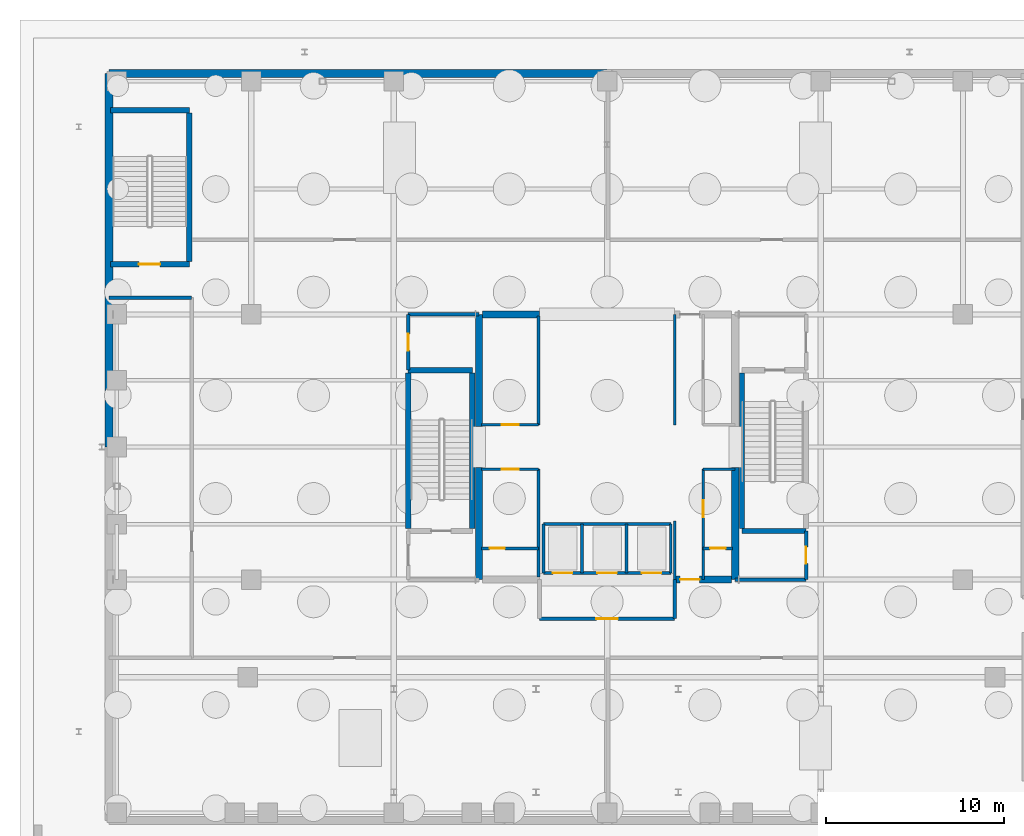
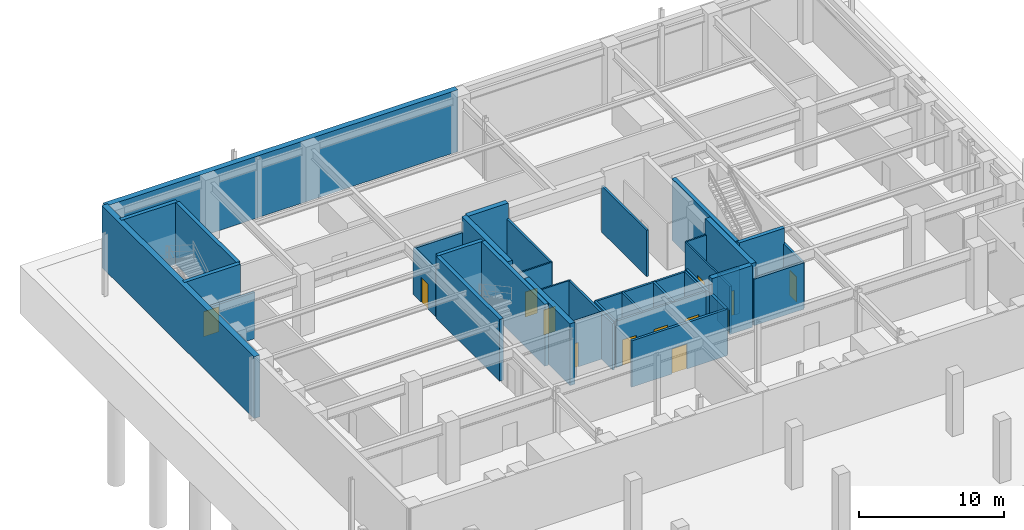
# One storey, part 12 of 18: 39 walls, 13 doors, 13 openings.
"""IFC4 building model written with IfcOpenShell, lengths in metres."""

from ifc_helpers import new_model, si_unit, direction, frame, frame_2d, origin, place, context, subcontext, project, spatial, rectangle, extrude, material, layer, layer_set, type_object, element, fill, save


model = new_model("IFC4")

# Units and contexts
model_context = context("Model", 3, precision=1e-05, world=origin(), true_north=direction((0.0, 1.0)))
body_context = subcontext(model_context, "Body", "Model", "MODEL_VIEW")
ifc_project = project(units=[si_unit("LENGTHUNIT", "METRE"), si_unit("AREAUNIT", "SQUARE_METRE"), si_unit("VOLUMEUNIT", "CUBIC_METRE"), si_unit("PLANEANGLEUNIT", "RADIAN"), si_unit("MASSUNIT", "GRAM", prefix="KILO")], contexts=[model_context])

# Site, building, storey
site_placement = place(None, origin())
site = spatial("IfcSite", under=ifc_project, at=site_placement, CompositionType="ELEMENT")
building_placement = place(site_placement, origin())
building = spatial("IfcBuilding", under=site, at=building_placement, Name="Veldorina Hangang Commons", CompositionType="ELEMENT")
storey_placement = place(building_placement, frame((0.0, 0.0, -10.39990234375)))
storey = spatial("IfcBuildingStorey", under=building, at=storey_placement, Name="B02", CompositionType="ELEMENT", Elevation=-10.39990234375)

# Walls
ifc_material_1 = material(Name="Concrete C70/85", Category="concrete")
ifc_layer_1 = layer(ifc_material_1, 0.39990234375)
ifc_layer_set_1 = layer_set([ifc_layer_1], Name="Concrete C70/85")
wall_type_1 = type_object("IfcWallType", Name="CW-RC400-C70", PredefinedType="SHEAR", material=ifc_layer_set_1)
for number, where, z_axis, x_axis, name in (
    (1, (24.800048828125, 16.550048828125, 0.0), (0.0, 0.0, 1.0), (0.0, 1.0, 0.0), "B02 W south core shear wall"),
    (2, (24.800048828125, 25.14990234375, 0.0), (0.0, 0.0, 1.0), (0.0, 1.0, 0.0), "B02 W north core shear wall"),
    (3, (39.199951171875, 16.550048828125, 0.0), (0.0, 0.0, 1.0), (0.0, 1.0, 0.0), "B02 E south core shear wall"),
):
    element("IfcWall", number, at=place(storey_placement, frame(where, z_axis=z_axis, x_axis=x_axis)), inside=storey, type_object=wall_type_1, Name=name, PredefinedType="SHEAR", context=body_context, shape_type="SweptSolid", body=[
        extrude(rectangle(XDim=6.300048828125, YDim=0.39990234375, at=frame_2d((3.14990234375, 0.0))), origin(), (0.0, 0.0, 1.0), 5.199951171875),
    ])

# Wall, opening, door
wall_1_placement = place(storey_placement, frame((35.800048828125, 16.550048828125, 0.0), z_axis=(0.0, 0.0, 1.0), x_axis=(1.0, 0.0, 0.0)))
wall_1 = element("IfcWall", 4, at=wall_1_placement, inside=storey, type_object=wall_type_1, Name="B02 south-east core shear wall", PredefinedType="SHEAR", context=body_context, shape_type="SweptSolid", body=[
    extrude(rectangle(XDim=3.199951171875, YDim=0.39990234375, at=frame_2d((1.60009765625, 0.0))), origin(), (0.0, 0.0, 1.0), 5.199951171875),
])
opening_1_placement = place(wall_1_placement, frame((0.300048828125, 0.0, 0.0)))
opening_1 = element("IfcOpeningElement", 5, at=opening_1_placement, cuts=wall_1, Name="Opening D-08", PredefinedType="OPENING", context=body_context, shape_type="SweptSolid", body=[
    extrude(rectangle(XDim=1.10009765625, YDim=2.10009765625, at=frame_2d((0.550048828125, 1.050048828125))), frame((0.0, 0.2099609375, 0.0), z_axis=(0.0, -1.0, 0.0), x_axis=(1.0, 0.0, 0.0)), (0.0, 0.0, 1.0), 0.419921875),
])
ifc_material_2 = material(Name="Steel Fire-Rated Smoke Seal", Category="steel")
door_type_1 = type_object("IfcDoorType", Name="DR-FIRE-1100", OperationType="SINGLE_SWING_RIGHT", PredefinedType="DOOR", material=ifc_material_2)
door_1_placement = place(opening_1_placement, origin())
door_1 = element("IfcDoor", 6, at=door_1_placement, inside=storey, type_object=door_type_1, Name="B02 central lift lobby south corridor door", OperationType="SINGLE_SWING_RIGHT", OverallHeight=2.10009765625, OverallWidth=1.10009765625, PredefinedType="DOOR", context=body_context, shape_type="SweptSolid", body=[
    extrude(rectangle(XDim=1.10009765625, YDim=2.10009765625, at=frame_2d((0.550048828125, 1.050048828125))), frame((0.0, 0.02490234375, 0.0), z_axis=(0.0, -1.0, 0.0), x_axis=(1.0, 0.0, 0.0)), (0.0, 0.0, 1.0), 0.050048828125),
])
fill(opening_1, door_1)

# Walls
wall_2_placement = place(storey_placement, frame((25.0, 31.449951171875, 0.0), z_axis=(0.0, 0.0, 1.0), x_axis=(1.0, 0.0, 0.0)))
element("IfcWall", 7, at=wall_2_placement, inside=storey, type_object=wall_type_1, Name="B02 north-west core shear wall", PredefinedType="SHEAR", context=body_context, shape_type="SweptSolid", body=[
    extrude(rectangle(XDim=3.199951171875, YDim=0.39990234375, at=frame_2d((1.60009765625, 0.0))), origin(), (0.0, 0.0, 1.0), 5.199951171875),
])
ifc_material_3 = material(Name="Concrete C45/55", Category="concrete")
ifc_layer_2 = layer(ifc_material_3, 0.449951171875)
ifc_layer_set_2 = layer_set([ifc_layer_2], Name="Concrete C45/55")
wall_type_2 = type_object("IfcWallType", Name="RW-BASE-450", PredefinedType="USERDEFINED", material=ifc_layer_set_2)
wall_3_placement = place(storey_placement, frame((32.0, 45.0, 0.0), z_axis=(0.0, 0.0, 1.0), x_axis=(-1.0, 0.0, 0.0)))
element("IfcWall", 8, at=wall_3_placement, inside=storey, type_object=wall_type_2, Name="B02 perimeter retaining wall N2", ObjectType="RETAININGWALL", PredefinedType="USERDEFINED", context=body_context, shape_type="SweptSolid", body=[
    extrude(rectangle(XDim=28.0, YDim=0.449951171875, at=frame_2d((14.0, 0.0))), origin(), (0.0, 0.0, 1.0), 5.199951171875),
])
wall_4_placement = place(storey_placement, frame((4.0, 45.0, 0.0), z_axis=(0.0, 0.0, 1.0), x_axis=(0.0, -1.0, 0.0)))
element("IfcWall", 9, at=wall_4_placement, inside=storey, type_object=wall_type_2, Name="B02 perimeter retaining wall W1", ObjectType="RETAININGWALL", PredefinedType="USERDEFINED", context=body_context, shape_type="SweptSolid", body=[
    extrude(rectangle(XDim=21.0, YDim=0.449951171875, at=frame_2d((10.5, 0.0))), origin(), (0.0, 0.0, 1.0), 5.199951171875),
])
ifc_material_4 = material(Name="Concrete C50/60", Category="concrete")
ifc_layer_3 = layer(ifc_material_4, 0.300048828125)
ifc_layer_set_3 = layer_set([ifc_layer_3], Name="Concrete C50/60")
wall_type_3 = type_object("IfcWallType", Name="SW-STAIR-300", PredefinedType="SHEAR", material=ifc_layer_set_3)
for number, where, z_axis, x_axis, name in (
    (10, (20.820068359375, 19.429931640625, 0.0), (0.0, 0.0, 1.0), (0.0, 1.0, 0.0), "B02 ST1 outer stair shear wall"),
    (11, (24.419921875, 19.429931640625, 0.0), (0.0, 0.0, 1.0), (0.0, 1.0, 0.0), "B02 ST1 inner stair shear wall"),
):
    element("IfcWall", number, at=place(storey_placement, frame(where, z_axis=z_axis, x_axis=x_axis)), inside=storey, type_object=wall_type_3, Name=name, PredefinedType="SHEAR", context=body_context, shape_type="SweptSolid", body=[
        extrude(rectangle(XDim=8.739990234375, YDim=0.300048828125, at=frame_2d((4.3701171875, 0.0))), origin(), (0.0, 0.0, 1.0), 5.199951171875),
    ])
wall_5_placement = place(storey_placement, frame((20.820068359375, 28.320068359375, 0.0), z_axis=(0.0, 0.0, 1.0), x_axis=(1.0, 0.0, 0.0)))
element("IfcWall", 12, at=wall_5_placement, inside=storey, type_object=wall_type_3, Name="B02 ST1 north stair shear wall", PredefinedType="SHEAR", context=body_context, shape_type="SweptSolid", body=[
    extrude(rectangle(XDim=3.599853515625, YDim=0.300048828125, at=frame_2d((1.7998046875, 0.0))), origin(), (0.0, 0.0, 1.0), 5.199951171875),
])
wall_6_placement = place(storey_placement, frame((39.580078125, 19.429931640625, 0.0), z_axis=(0.0, 0.0, 1.0), x_axis=(0.0, 1.0, 0.0)))
element("IfcWall", 13, at=wall_6_placement, inside=storey, type_object=wall_type_3, Name="B02 ST2 inner stair shear wall", PredefinedType="SHEAR", context=body_context, shape_type="SweptSolid", body=[
    extrude(rectangle(XDim=8.739990234375, YDim=0.300048828125, at=frame_2d((4.3701171875, 0.0))), origin(), (0.0, 0.0, 1.0), 5.199951171875),
])
wall_7_placement = place(storey_placement, frame((39.580078125, 19.280029296875, 0.0), z_axis=(0.0, 0.0, 1.0), x_axis=(1.0, 0.0, 0.0)))
element("IfcWall", 14, at=wall_7_placement, inside=storey, type_object=wall_type_3, Name="B02 ST2 south stair shear wall", PredefinedType="SHEAR", context=body_context, shape_type="SweptSolid", body=[
    extrude(rectangle(XDim=3.599853515625, YDim=0.300048828125, at=frame_2d((1.7998046875, 0.0))), origin(), (0.0, 0.0, 1.0), 5.199951171875),
])
wall_8_placement = place(storey_placement, frame((8.52001953125, 34.429931640625, 0.0), z_axis=(0.0, 0.0, 1.0), x_axis=(0.0, 1.0, 0.0)))
element("IfcWall", 15, at=wall_8_placement, inside=storey, type_object=wall_type_3, Name="B02 STP1 E stair shear wall", PredefinedType="SHEAR", context=body_context, shape_type="SweptSolid", body=[
    extrude(rectangle(XDim=8.340087890625, YDim=0.300048828125, at=frame_2d((4.169921875, 0.0))), origin(), (0.0, 0.0, 1.0), 5.199951171875),
])

# Wall, opening, door
wall_9_placement = place(storey_placement, frame((4.080078125, 34.280029296875, 0.0), z_axis=(0.0, 0.0, 1.0), x_axis=(1.0, 0.0, 0.0)))
wall_9 = element("IfcWall", 16, at=wall_9_placement, inside=storey, type_object=wall_type_3, Name="B02 STP1 S stair shear wall", PredefinedType="SHEAR", context=body_context, shape_type="SweptSolid", body=[
    extrude(rectangle(XDim=4.43994140625, YDim=0.300048828125, at=frame_2d((2.219970703125, 0.0))), origin(), (0.0, 0.0, 1.0), 5.199951171875),
])
opening_2_placement = place(wall_9_placement, frame((1.60009765625, 0.0, 0.0)))
opening_2 = element("IfcOpeningElement", 17, at=opening_2_placement, cuts=wall_9, Name="Opening D-09", PredefinedType="OPENING", context=body_context, shape_type="SweptSolid", body=[
    extrude(rectangle(XDim=1.199951171875, YDim=2.10009765625, at=frame_2d((0.60009765625, 1.050048828125))), frame((0.0, 0.16015625, 0.0), z_axis=(0.0, -1.0, 0.0), x_axis=(1.0, 0.0, 0.0)), (0.0, 0.0, 1.0), 0.320068359375),
])
ifc_material_5 = material(Name="Steel Fire-Rated Corridor Door", Category="steel")
door_type_2 = type_object("IfcDoorType", Name="DR-FIRE-1200", OperationType="SINGLE_SWING_LEFT", PredefinedType="DOOR", material=ifc_material_5)
door_2_placement = place(opening_2_placement, origin())
door_2 = element("IfcDoor", 18, at=door_2_placement, inside=storey, type_object=door_type_2, Name="B02 Podium Stair ST-P1 door", OperationType="SINGLE_SWING_LEFT", OverallHeight=2.10009765625, OverallWidth=1.199951171875, PredefinedType="DOOR", context=body_context, shape_type="SweptSolid", body=[
    extrude(rectangle(XDim=1.199951171875, YDim=2.10009765625, at=frame_2d((0.60009765625, 1.050048828125))), frame((0.0, 0.02490234375, 0.0), z_axis=(0.0, -1.0, 0.0), x_axis=(1.0, 0.0, 0.0)), (0.0, 0.0, 1.0), 0.050048828125),
])
fill(opening_2, door_2)

# Walls
wall_10_placement = place(storey_placement, frame((4.080078125, 42.919921875, 0.0), z_axis=(0.0, 0.0, 1.0), x_axis=(1.0, 0.0, 0.0)))
element("IfcWall", 19, at=wall_10_placement, inside=storey, type_object=wall_type_3, Name="B02 STP1 N stair shear wall", PredefinedType="SHEAR", context=body_context, shape_type="SweptSolid", body=[
    extrude(rectangle(XDim=4.43994140625, YDim=0.300048828125, at=frame_2d((2.219970703125, 0.0))), origin(), (0.0, 0.0, 1.0), 5.199951171875),
])
ifc_material_6 = material(Name="Gypsum Fire-Rated Twin Stud Wall", Category="gypsum")
ifc_layer_4 = layer(ifc_material_6, 0.159912109375)
ifc_layer_set_4 = layer_set([ifc_layer_4], Name="Gypsum Fire-Rated Twin Stud Wall")
wall_type_4 = type_object("IfcWallType", Name="WL-FIRE-160", PredefinedType="SOLIDWALL", material=ifc_layer_set_4)
wall_11_placement = place(storey_placement, frame((35.800048828125, 16.550048828125, 0.0), z_axis=(0.0, 0.0, 1.0), x_axis=(0.0, 1.0, 0.0)))
element("IfcWall", 20, at=wall_11_placement, inside=storey, type_object=wall_type_4, Name="B02 Lift passage SW wall 009", PredefinedType="SOLIDWALL", context=body_context, shape_type="SweptSolid", body=[
    extrude(rectangle(XDim=3.300048828125, YDim=0.159912109375, at=frame_2d((1.64990234375, 0.0))), origin(), (0.0, 0.0, 1.0), 3.89990234375),
])
wall_12_placement = place(storey_placement, frame((37.39990234375, 16.550048828125, 0.0), z_axis=(0.0, 0.0, 1.0), x_axis=(0.0, 1.0, 0.0)))
element("IfcWall", 21, at=wall_12_placement, inside=storey, type_object=wall_type_4, Name="B02 Lift passage SE stub 010", PredefinedType="SOLIDWALL", context=body_context, shape_type="SweptSolid", body=[
    extrude(rectangle(XDim=1.75, YDim=0.159912109375, at=frame_2d((0.875, 0.0))), origin(), (0.0, 0.0, 1.0), 3.89990234375),
])
wall_13_placement = place(storey_placement, frame((35.800048828125, 25.25, 0.0), z_axis=(0.0, 0.0, 1.0), x_axis=(0.0, 1.0, 0.0)))
element("IfcWall", 22, at=wall_13_placement, inside=storey, type_object=wall_type_4, Name="B02 Lift passage NW wall 011", PredefinedType="SOLIDWALL", context=body_context, shape_type="SweptSolid", body=[
    extrude(rectangle(XDim=6.199951171875, YDim=0.159912109375, at=frame_2d((3.10009765625, 0.0))), origin(), (0.0, 0.0, 1.0), 3.89990234375),
])

# Wall, openings, doors
wall_14_placement = place(storey_placement, frame((28.419921875, 16.919921875, 0.0), z_axis=(0.0, 0.0, 1.0), x_axis=(1.0, 0.0, 0.0)))
wall_14 = element("IfcWall", 23, at=wall_14_placement, inside=storey, type_object=wall_type_4, Name="B02 Emergency front shaft wall 015", PredefinedType="SOLIDWALL", context=body_context, shape_type="SweptSolid", body=[
    extrude(rectangle(XDim=7.16015625, YDim=0.159912109375, at=frame_2d((3.580078125, 0.0))), origin(), (0.0, 0.0, 1.0), 3.89990234375),
])
opening_3_placement = place(wall_14_placement, frame((0.530029296875, 0.0, 0.0)))
opening_3 = element("IfcOpeningElement", 24, at=opening_3_placement, cuts=wall_14, Name="Opening LD-03", PredefinedType="OPENING", context=body_context, shape_type="SweptSolid", body=[
    extrude(rectangle(XDim=1.10009765625, YDim=2.14990234375, at=frame_2d((0.550048828125, 1.074951171875))), frame((0.0, 0.08984375, 0.0), z_axis=(0.0, -1.0, 0.0), x_axis=(1.0, 0.0, 0.0)), (0.0, 0.0, 1.0), 0.179931640625),
])
opening_4_placement = place(wall_14_placement, frame((3.030029296875, 0.0, 0.0)))
opening_4 = element("IfcOpeningElement", 25, at=opening_4_placement, cuts=wall_14, Name="Opening LD-03", PredefinedType="OPENING", context=body_context, shape_type="SweptSolid", body=[
    extrude(rectangle(XDim=1.10009765625, YDim=2.14990234375, at=frame_2d((0.550048828125, 1.074951171875))), frame((0.0, 0.08984375, 0.0), z_axis=(0.0, -1.0, 0.0), x_axis=(1.0, 0.0, 0.0)), (0.0, 0.0, 1.0), 0.179931640625),
])
opening_5_placement = place(wall_14_placement, frame((5.530029296875, 0.0, 0.0)))
opening_5 = element("IfcOpeningElement", 26, at=opening_5_placement, cuts=wall_14, Name="Opening LD-03", PredefinedType="OPENING", context=body_context, shape_type="SweptSolid", body=[
    extrude(rectangle(XDim=1.10009765625, YDim=2.14990234375, at=frame_2d((0.550048828125, 1.074951171875))), frame((0.0, 0.08984375, 0.0), z_axis=(0.0, -1.0, 0.0), x_axis=(1.0, 0.0, 0.0)), (0.0, 0.0, 1.0), 0.179931640625),
])
ifc_material_7 = material(Name="Stainless Steel Firefighting Lift Door", Category="steel")
door_type_3 = type_object("IfcDoorType", Name="DR-LIFT-FF1100", OperationType="SLIDING_TO_RIGHT", PredefinedType="DOOR", material=ifc_material_7)
door_3_placement = place(opening_3_placement, origin())
door_3 = element("IfcDoor", 27, at=door_3_placement, inside=storey, type_object=door_type_3, Name="B02 Emergency lift FFL-1 landing door 006", OperationType="SLIDING_TO_RIGHT", OverallHeight=2.14990234375, OverallWidth=1.10009765625, PredefinedType="DOOR", context=body_context, shape_type="SweptSolid", body=[
    extrude(rectangle(XDim=1.10009765625, YDim=2.14990234375, at=frame_2d((0.550048828125, 1.074951171875))), frame((0.0, 0.02490234375, 0.0), z_axis=(0.0, -1.0, 0.0), x_axis=(1.0, 0.0, 0.0)), (0.0, 0.0, 1.0), 0.050048828125),
])
fill(opening_3, door_3)
door_4_placement = place(opening_4_placement, origin())
door_4 = element("IfcDoor", 28, at=door_4_placement, inside=storey, type_object=door_type_3, Name="B02 Emergency lift FFL-2 landing door 007", OperationType="SLIDING_TO_RIGHT", OverallHeight=2.14990234375, OverallWidth=1.10009765625, PredefinedType="DOOR", context=body_context, shape_type="SweptSolid", body=[
    extrude(rectangle(XDim=1.10009765625, YDim=2.14990234375, at=frame_2d((0.550048828125, 1.074951171875))), frame((0.0, 0.02490234375, 0.0), z_axis=(0.0, -1.0, 0.0), x_axis=(1.0, 0.0, 0.0)), (0.0, 0.0, 1.0), 0.050048828125),
])
fill(opening_4, door_4)
door_5_placement = place(opening_5_placement, origin())
door_5 = element("IfcDoor", 29, at=door_5_placement, inside=storey, type_object=door_type_3, Name="B02 Emergency lift EVL-1 landing door 008", OperationType="SLIDING_TO_RIGHT", OverallHeight=2.14990234375, OverallWidth=1.10009765625, PredefinedType="DOOR", context=body_context, shape_type="SweptSolid", body=[
    extrude(rectangle(XDim=1.10009765625, YDim=2.14990234375, at=frame_2d((0.550048828125, 1.074951171875))), frame((0.0, 0.02490234375, 0.0), z_axis=(0.0, -1.0, 0.0), x_axis=(1.0, 0.0, 0.0)), (0.0, 0.0, 1.0), 0.050048828125),
])
fill(opening_5, door_5)

# Walls
wall_15_placement = place(storey_placement, frame((28.419921875, 19.679931640625, 0.0), z_axis=(0.0, 0.0, 1.0), x_axis=(1.0, 0.0, 0.0)))
element("IfcWall", 30, at=wall_15_placement, inside=storey, type_object=wall_type_4, Name="B02 Emergency rear shaft wall 016", PredefinedType="SOLIDWALL", context=body_context, shape_type="SweptSolid", body=[
    extrude(rectangle(XDim=7.16015625, YDim=0.159912109375, at=frame_2d((3.580078125, 0.0))), origin(), (0.0, 0.0, 1.0), 3.89990234375),
])
for number, where, z_axis, x_axis, name in (
    (31, (28.419921875, 16.919921875, 0.0), (0.0, 0.0, 1.0), (0.0, 1.0, 0.0), "B02 FFL-1 west shaft wall 017"),
    (32, (30.580078125, 16.919921875, 0.0), (0.0, 0.0, 1.0), (0.0, 1.0, 0.0), "B02 FFL-1 east shaft wall 018"),
    (33, (33.080078125, 16.919921875, 0.0), (0.0, 0.0, 1.0), (0.0, 1.0, 0.0), "B02 FFL-2 east shaft wall 019"),
    (34, (35.580078125, 16.919921875, 0.0), (0.0, 0.0, 1.0), (0.0, 1.0, 0.0), "B02 EVL-1 east shaft wall 020"),
):
    element("IfcWall", number, at=place(storey_placement, frame(where, z_axis=z_axis, x_axis=x_axis)), inside=storey, type_object=wall_type_4, Name=name, PredefinedType="SOLIDWALL", context=body_context, shape_type="SweptSolid", body=[
        extrude(rectangle(XDim=2.760009765625, YDim=0.159912109375, at=frame_2d((1.3798828125, 0.0))), origin(), (0.0, 0.0, 1.0), 3.89990234375),
    ])

# Wall, opening, door
wall_16_placement = place(storey_placement, frame((24.949951171875, 18.300048828125, 0.0), z_axis=(0.0, 0.0, 1.0), x_axis=(1.0, 0.0, 0.0)))
wall_16 = element("IfcWall", 35, at=wall_16_placement, inside=storey, type_object=wall_type_4, Name="B02 Electrical riser wall 021", PredefinedType="SOLIDWALL", context=body_context, shape_type="SweptSolid", body=[
    extrude(rectangle(XDim=3.199951171875, YDim=0.159912109375, at=frame_2d((1.60009765625, 0.0))), origin(), (0.0, 0.0, 1.0), 3.89990234375),
])
opening_6_placement = place(wall_16_placement, frame((0.43994140625, 0.0, 0.0)))
opening_6 = element("IfcOpeningElement", 36, at=opening_6_placement, cuts=wall_16, Name="Opening D-12", PredefinedType="OPENING", context=body_context, shape_type="SweptSolid", body=[
    extrude(rectangle(XDim=0.860107421875, YDim=2.050048828125, at=frame_2d((0.43017578125, 1.02490234375))), frame((0.0, 0.08984375, 0.0), z_axis=(0.0, -1.0, 0.0), x_axis=(1.0, 0.0, 0.0)), (0.0, 0.0, 1.0), 0.179931640625),
])
ifc_material_8 = material(Name="Steel Insulated Riser Access", Category="steel")
door_type_4 = type_object("IfcDoorType", Name="DR-TRAP-860", OperationType="SINGLE_SWING_LEFT", PredefinedType="TRAPDOOR", material=ifc_material_8)
door_6_placement = place(opening_6_placement, origin())
door_6 = element("IfcDoor", 37, at=door_6_placement, inside=storey, type_object=door_type_4, Name="B02 Electrical riser access door 009", OperationType="SINGLE_SWING_LEFT", OverallHeight=2.050048828125, OverallWidth=0.860107421875, PredefinedType="TRAPDOOR", context=body_context, shape_type="SweptSolid", body=[
    extrude(rectangle(XDim=0.860107421875, YDim=2.050048828125, at=frame_2d((0.43017578125, 1.02490234375))), frame((0.0, 0.02490234375, 0.0), z_axis=(0.0, -1.0, 0.0), x_axis=(1.0, 0.0, 0.0)), (0.0, 0.0, 1.0), 0.050048828125),
])
fill(opening_6, door_6)

# Wall
wall_17_placement = place(storey_placement, frame((28.14990234375, 16.699951171875, 0.0), z_axis=(0.0, 0.0, 1.0), x_axis=(0.0, 1.0, 0.0)))
element("IfcWall", 38, at=wall_17_placement, inside=storey, type_object=wall_type_4, Name="B02 SW core inner wall 022", PredefinedType="SOLIDWALL", context=body_context, shape_type="SweptSolid", body=[
    extrude(rectangle(XDim=6.050048828125, YDim=0.159912109375, at=frame_2d((3.02490234375, 0.0))), origin(), (0.0, 0.0, 1.0), 3.89990234375),
])

# Wall, opening, door
wall_18_placement = place(storey_placement, frame((37.39990234375, 18.300048828125, 0.0), z_axis=(0.0, 0.0, 1.0), x_axis=(1.0, 0.0, 0.0)))
wall_18 = element("IfcWall", 39, at=wall_18_placement, inside=storey, type_object=wall_type_4, Name="B02 Plumbing riser wall 023", PredefinedType="SOLIDWALL", context=body_context, shape_type="SweptSolid", body=[
    extrude(rectangle(XDim=1.650146484375, YDim=0.159912109375, at=frame_2d((0.8251953125, 0.0))), origin(), (0.0, 0.0, 1.0), 3.89990234375),
])
opening_7_placement = place(wall_18_placement, frame((0.39501953125, 0.0, 0.0)))
opening_7 = element("IfcOpeningElement", 40, at=opening_7_placement, cuts=wall_18, Name="Opening D-01N", PredefinedType="OPENING", context=body_context, shape_type="SweptSolid", body=[
    extrude(rectangle(XDim=0.860107421875, YDim=2.10009765625, at=frame_2d((0.43017578125, 1.050048828125))), frame((0.0, 0.08984375, 0.0), z_axis=(0.0, -1.0, 0.0), x_axis=(1.0, 0.0, 0.0)), (0.0, 0.0, 1.0), 0.179931640625),
])
ifc_material_9 = material(Name="Timber Fire-Rated Core", Category="wood")
door_type_5 = type_object("IfcDoorType", Name="DR-INT-860", OperationType="SINGLE_SWING_LEFT", PredefinedType="DOOR", material=ifc_material_9)
door_7_placement = place(opening_7_placement, origin())
door_7 = element("IfcDoor", 41, at=door_7_placement, inside=storey, type_object=door_type_5, Name="B02 Plumbing riser access door 010", OperationType="SINGLE_SWING_RIGHT", OverallHeight=2.10009765625, OverallWidth=0.860107421875, PredefinedType="TRAPDOOR", context=body_context, shape_type="SweptSolid", body=[
    extrude(rectangle(XDim=0.860107421875, YDim=2.10009765625, at=frame_2d((0.43017578125, 1.050048828125))), frame((0.0, 0.02490234375, 0.0), z_axis=(0.0, -1.0, 0.0), x_axis=(1.0, 0.0, 0.0)), (0.0, 0.0, 1.0), 0.050048828125),
])
fill(opening_7, door_7)

# Wall
wall_19_placement = place(storey_placement, frame((28.14990234375, 25.25, 0.0), z_axis=(0.0, 0.0, 1.0), x_axis=(0.0, 1.0, 0.0)))
element("IfcWall", 42, at=wall_19_placement, inside=storey, type_object=wall_type_4, Name="B02 NW core inner wall 024", PredefinedType="SOLIDWALL", context=body_context, shape_type="SweptSolid", body=[
    extrude(rectangle(XDim=6.10009765625, YDim=0.159912109375, at=frame_2d((3.050048828125, 0.0))), origin(), (0.0, 0.0, 1.0), 3.89990234375),
])

# Wall, opening, door
ifc_material_10 = material(Name="Concrete Blockwork Fire Wall C30/37", Category="masonry")
ifc_layer_5 = layer(ifc_material_10, 0.199951171875)
ifc_layer_set_5 = layer_set([ifc_layer_5], Name="Concrete Blockwork Fire Wall C30/37")
wall_type_5 = type_object("IfcWallType", Name="WL-FIRE-200", PredefinedType="SOLIDWALL", material=ifc_layer_set_5)
wall_20_placement = place(storey_placement, frame((20.820068359375, 28.320068359375, 0.0), z_axis=(0.0, 0.0, 1.0), x_axis=(0.0, 1.0, 0.0)))
wall_20 = element("IfcWall", 43, at=wall_20_placement, inside=storey, type_object=wall_type_5, Name="B02 NW core room outer wall 005", PredefinedType="SOLIDWALL", context=body_context, shape_type="SweptSolid", body=[
    extrude(rectangle(XDim=3.1298828125, YDim=0.199951171875, at=frame_2d((1.56494140625, 0.0))), origin(), (0.0, 0.0, 1.0), 3.89990234375),
])
opening_8_placement = place(wall_20_placement, frame((1.090087890625, 0.0, 0.0)))
opening_8 = element("IfcOpeningElement", 44, at=opening_8_placement, cuts=wall_20, Name="Opening D-04", PredefinedType="OPENING", context=body_context, shape_type="SweptSolid", body=[
    extrude(rectangle(XDim=0.949951171875, YDim=2.10009765625, at=frame_2d((0.47509765625, 1.050048828125))), frame((0.0, 0.10986328125, 0.0), z_axis=(0.0, -1.0, 0.0), x_axis=(1.0, 0.0, 0.0)), (0.0, 0.0, 1.0), 0.219970703125),
])
ifc_material_11 = material(Name="Timber Accessible Flush Leaf", Category="wood")
door_type_6 = type_object("IfcDoorType", Name="DR-ACC-950", OperationType="SINGLE_SWING_LEFT", PredefinedType="DOOR", material=ifc_material_11)
door_8_placement = place(opening_8_placement, origin())
door_8 = element("IfcDoor", 45, at=door_8_placement, inside=storey, type_object=door_type_6, Name="B02 NW core WC door 003", OperationType="SINGLE_SWING_LEFT", OverallHeight=2.10009765625, OverallWidth=0.949951171875, PredefinedType="DOOR", context=body_context, shape_type="SweptSolid", body=[
    extrude(rectangle(XDim=0.949951171875, YDim=2.10009765625, at=frame_2d((0.47509765625, 1.050048828125))), frame((0.0, 0.02490234375, 0.0), z_axis=(0.0, -1.0, 0.0), x_axis=(1.0, 0.0, 0.0)), (0.0, 0.0, 1.0), 0.050048828125),
])
fill(opening_8, door_8)

# Wall
wall_21_placement = place(storey_placement, frame((20.820068359375, 31.449951171875, 0.0), z_axis=(0.0, 0.0, 1.0), x_axis=(1.0, 0.0, 0.0)))
element("IfcWall", 46, at=wall_21_placement, inside=storey, type_object=wall_type_5, Name="B02 NW core room north wall 006", PredefinedType="SOLIDWALL", context=body_context, shape_type="SweptSolid", body=[
    extrude(rectangle(XDim=3.97998046875, YDim=0.199951171875, at=frame_2d((1.989990234375, 0.0))), origin(), (0.0, 0.0, 1.0), 3.89990234375),
])

# Wall, opening, door
wall_22_placement = place(storey_placement, frame((43.179931640625, 16.550048828125, 0.0), z_axis=(0.0, 0.0, 1.0), x_axis=(0.0, 1.0, 0.0)))
wall_22 = element("IfcWall", 47, at=wall_22_placement, inside=storey, type_object=wall_type_5, Name="B02 SE core room outer wall 007", PredefinedType="SOLIDWALL", context=body_context, shape_type="SweptSolid", body=[
    extrude(rectangle(XDim=2.72998046875, YDim=0.199951171875, at=frame_2d((1.364990234375, 0.0))), origin(), (0.0, 0.0, 1.0), 3.89990234375),
])
opening_9_placement = place(wall_22_placement, frame((0.889892578125, 0.0, 0.0)))
opening_9 = element("IfcOpeningElement", 48, at=opening_9_placement, cuts=wall_22, Name="Opening D-02", PredefinedType="OPENING", context=body_context, shape_type="SweptSolid", body=[
    extrude(rectangle(XDim=0.949951171875, YDim=2.10009765625, at=frame_2d((0.47509765625, 1.050048828125))), frame((0.0, 0.10986328125, 0.0), z_axis=(0.0, -1.0, 0.0), x_axis=(1.0, 0.0, 0.0)), (0.0, 0.0, 1.0), 0.219970703125),
])
ifc_material_12 = material(Name="Timber Solid Core Acoustic", Category="wood")
door_type_7 = type_object("IfcDoorType", Name="DR-INT-950", OperationType="SINGLE_SWING_LEFT", PredefinedType="DOOR", material=ifc_material_12)
door_9_placement = place(opening_9_placement, origin())
door_9 = element("IfcDoor", 49, at=door_9_placement, inside=storey, type_object=door_type_7, Name="B02 SE core WC door 004", OperationType="SINGLE_SWING_RIGHT", OverallHeight=2.10009765625, OverallWidth=0.949951171875, PredefinedType="DOOR", context=body_context, shape_type="SweptSolid", body=[
    extrude(rectangle(XDim=0.949951171875, YDim=2.10009765625, at=frame_2d((0.47509765625, 1.050048828125))), frame((0.0, 0.02490234375, 0.0), z_axis=(0.0, -1.0, 0.0), x_axis=(1.0, 0.0, 0.0)), (0.0, 0.0, 1.0), 0.050048828125),
])
fill(opening_9, door_9)

# Walls
wall_23_placement = place(storey_placement, frame((39.199951171875, 16.550048828125, 0.0), z_axis=(0.0, 0.0, 1.0), x_axis=(1.0, 0.0, 0.0)))
element("IfcWall", 50, at=wall_23_placement, inside=storey, type_object=wall_type_5, Name="B02 SE core room south wall 008", PredefinedType="SOLIDWALL", context=body_context, shape_type="SweptSolid", body=[
    extrude(rectangle(XDim=3.97998046875, YDim=0.199951171875, at=frame_2d((1.989990234375, 0.0))), origin(), (0.0, 0.0, 1.0), 3.89990234375),
])
wall_24_placement = place(storey_placement, frame((35.800048828125, 14.35009765625, 0.0), z_axis=(0.0, 0.0, 1.0), x_axis=(0.0, 1.0, 0.0)))
element("IfcWall", 51, at=wall_24_placement, inside=storey, type_object=wall_type_5, Name="B02 FF lobby east wall 013", PredefinedType="SOLIDWALL", context=body_context, shape_type="SweptSolid", body=[
    extrude(rectangle(XDim=2.199951171875, YDim=0.199951171875, at=frame_2d((1.10009765625, 0.0))), origin(), (0.0, 0.0, 1.0), 3.89990234375),
])

# Wall, opening, door
wall_25_placement = place(storey_placement, frame((28.199951171875, 14.35009765625, 0.0), z_axis=(0.0, 0.0, 1.0), x_axis=(1.0, 0.0, 0.0)))
wall_25 = element("IfcWall", 52, at=wall_25_placement, inside=storey, type_object=wall_type_5, Name="B02 FF lobby south wall 014", PredefinedType="SOLIDWALL", context=body_context, shape_type="SweptSolid", body=[
    extrude(rectangle(XDim=7.60009765625, YDim=0.199951171875, at=frame_2d((3.800048828125, 0.0))), origin(), (0.0, 0.0, 1.0), 3.89990234375),
])
opening_10_placement = place(wall_25_placement, frame((3.199951171875, 0.0, 0.0)))
opening_10 = element("IfcOpeningElement", 53, at=opening_10_placement, cuts=wall_25, Name="Opening D-09", PredefinedType="OPENING", context=body_context, shape_type="SweptSolid", body=[
    extrude(rectangle(XDim=1.199951171875, YDim=2.10009765625, at=frame_2d((0.60009765625, 1.050048828125))), frame((0.0, 0.10986328125, 0.0), z_axis=(0.0, -1.0, 0.0), x_axis=(1.0, 0.0, 0.0)), (0.0, 0.0, 1.0), 0.219970703125),
])
door_10_placement = place(opening_10_placement, origin())
door_10 = element("IfcDoor", 54, at=door_10_placement, inside=storey, type_object=door_type_2, Name="B02 FF lobby south corridor door 005", OperationType="SINGLE_SWING_LEFT", OverallHeight=2.10009765625, OverallWidth=1.199951171875, PredefinedType="DOOR", context=body_context, shape_type="SweptSolid", body=[
    extrude(rectangle(XDim=1.199951171875, YDim=2.10009765625, at=frame_2d((0.60009765625, 1.050048828125))), frame((0.0, 0.02490234375, 0.0), z_axis=(0.0, -1.0, 0.0), x_axis=(1.0, 0.0, 0.0)), (0.0, 0.0, 1.0), 0.050048828125),
])
fill(opening_10, door_10)

# Wall
wall_26_placement = place(storey_placement, frame((4.0, 32.39990234375, 0.0), z_axis=(0.0, 0.0, 1.0), x_axis=(1.0, 0.0, 0.0)))
element("IfcWall", 55, at=wall_26_placement, inside=storey, type_object=wall_type_5, Name="B02 B02 workshop north wall 038", PredefinedType="SOLIDWALL", context=body_context, shape_type="SweptSolid", body=[
    extrude(rectangle(XDim=4.64990234375, YDim=0.199951171875, at=frame_2d((2.324951171875, 0.0))), origin(), (0.0, 0.0, 1.0), 3.89990234375),
])

# Wall, opening, door
ifc_material_13 = material(Name="Gypsum Acoustic Stud Partition", Category="gypsum")
ifc_layer_6 = layer(ifc_material_13, 0.1201171875)
ifc_layer_set_6 = layer_set([ifc_layer_6], Name="Gypsum Acoustic Stud Partition")
wall_type_6 = type_object("IfcWallType", Name="WL-PART-120", PredefinedType="PARTITIONING", material=ifc_layer_set_6)
wall_27_placement = place(storey_placement, frame((24.949951171875, 25.25, 0.0), z_axis=(0.0, 0.0, 1.0), x_axis=(1.0, 0.0, 0.0)))
wall_27 = element("IfcWall", 56, at=wall_27_placement, inside=storey, type_object=wall_type_6, Name="B02 NW service south wall 025", PredefinedType="PARTITIONING", context=body_context, shape_type="SweptSolid", body=[
    extrude(rectangle(XDim=3.199951171875, YDim=0.1201171875, at=frame_2d((1.60009765625, 0.0))), origin(), (0.0, 0.0, 1.0), 3.89990234375),
])
opening_11_placement = place(wall_27_placement, frame((1.125, 0.0, 0.0)))
opening_11 = element("IfcOpeningElement", 57, at=opening_11_placement, cuts=wall_27, Name="Opening D-02", PredefinedType="OPENING", context=body_context, shape_type="SweptSolid", body=[
    extrude(rectangle(XDim=0.949951171875, YDim=2.10009765625, at=frame_2d((0.47509765625, 1.050048828125))), frame((0.0, 0.070068359375, 0.0), z_axis=(0.0, -1.0, 0.0), x_axis=(1.0, 0.0, 0.0)), (0.0, 0.0, 1.0), 0.14013671875),
])
door_11_placement = place(opening_11_placement, origin())
door_11 = element("IfcDoor", 58, at=door_11_placement, inside=storey, type_object=door_type_7, Name="B02 Housekeeping store door 011", OperationType="SINGLE_SWING_LEFT", OverallHeight=2.10009765625, OverallWidth=0.949951171875, PredefinedType="DOOR", context=body_context, shape_type="SweptSolid", body=[
    extrude(rectangle(XDim=0.949951171875, YDim=2.10009765625, at=frame_2d((0.47509765625, 1.050048828125))), frame((0.0, 0.02490234375, 0.0), z_axis=(0.0, -1.0, 0.0), x_axis=(1.0, 0.0, 0.0)), (0.0, 0.0, 1.0), 0.050048828125),
])
fill(opening_11, door_11)

wall_28_placement = place(storey_placement, frame((24.949951171875, 22.75, 0.0), z_axis=(0.0, 0.0, 1.0), x_axis=(1.0, 0.0, 0.0)))
wall_28 = element("IfcWall", 59, at=wall_28_placement, inside=storey, type_object=wall_type_6, Name="B02 SW service north wall 026", PredefinedType="PARTITIONING", context=body_context, shape_type="SweptSolid", body=[
    extrude(rectangle(XDim=3.199951171875, YDim=0.1201171875, at=frame_2d((1.60009765625, 0.0))), origin(), (0.0, 0.0, 1.0), 3.89990234375),
])
opening_12_placement = place(wall_28_placement, frame((1.125, 0.0, 0.0)))
opening_12 = element("IfcOpeningElement", 60, at=opening_12_placement, cuts=wall_28, Name="Opening D-02", PredefinedType="OPENING", context=body_context, shape_type="SweptSolid", body=[
    extrude(rectangle(XDim=0.949951171875, YDim=2.10009765625, at=frame_2d((0.47509765625, 1.050048828125))), frame((0.0, 0.070068359375, 0.0), z_axis=(0.0, -1.0, 0.0), x_axis=(1.0, 0.0, 0.0)), (0.0, 0.0, 1.0), 0.14013671875),
])
door_12_placement = place(opening_12_placement, origin())
door_12 = element("IfcDoor", 61, at=door_12_placement, inside=storey, type_object=door_type_7, Name="B02 Refuse hold door 012", OperationType="SINGLE_SWING_RIGHT", OverallHeight=2.10009765625, OverallWidth=0.949951171875, PredefinedType="DOOR", context=body_context, shape_type="SweptSolid", body=[
    extrude(rectangle(XDim=0.949951171875, YDim=2.10009765625, at=frame_2d((0.47509765625, 1.050048828125))), frame((0.0, 0.02490234375, 0.0), z_axis=(0.0, -1.0, 0.0), x_axis=(1.0, 0.0, 0.0)), (0.0, 0.0, 1.0), 0.050048828125),
])
fill(opening_12, door_12)

wall_29_placement = place(storey_placement, frame((37.39990234375, 18.300048828125, 0.0), z_axis=(0.0, 0.0, 1.0), x_axis=(0.0, 1.0, 0.0)))
wall_29 = element("IfcWall", 62, at=wall_29_placement, inside=storey, type_object=wall_type_6, Name="B02 SE strip lobby wall 029", PredefinedType="PARTITIONING", context=body_context, shape_type="SweptSolid", body=[
    extrude(rectangle(XDim=4.449951171875, YDim=0.1201171875, at=frame_2d((2.22509765625, 0.0))), origin(), (0.0, 0.0, 1.0), 3.89990234375),
])
opening_13_placement = place(wall_29_placement, frame((1.75, 0.0, 0.0)))
opening_13 = element("IfcOpeningElement", 63, at=opening_13_placement, cuts=wall_29, Name="Opening D-02", PredefinedType="OPENING", context=body_context, shape_type="SweptSolid", body=[
    extrude(rectangle(XDim=0.949951171875, YDim=2.10009765625, at=frame_2d((0.47509765625, 1.050048828125))), frame((0.0, 0.070068359375, 0.0), z_axis=(0.0, -1.0, 0.0), x_axis=(1.0, 0.0, 0.0)), (0.0, 0.0, 1.0), 0.14013671875),
])
door_13_placement = place(opening_13_placement, origin())
door_13 = element("IfcDoor", 64, at=door_13_placement, inside=storey, type_object=door_type_7, Name="B02 BMS closet door 014", OperationType="SINGLE_SWING_RIGHT", OverallHeight=2.10009765625, OverallWidth=0.949951171875, PredefinedType="DOOR", context=body_context, shape_type="SweptSolid", body=[
    extrude(rectangle(XDim=0.949951171875, YDim=2.10009765625, at=frame_2d((0.47509765625, 1.050048828125))), frame((0.0, 0.02490234375, 0.0), z_axis=(0.0, -1.0, 0.0), x_axis=(1.0, 0.0, 0.0)), (0.0, 0.0, 1.0), 0.050048828125),
])
fill(opening_13, door_13)

# Wall
wall_30_placement = place(storey_placement, frame((37.39990234375, 22.75, 0.0), z_axis=(0.0, 0.0, 1.0), x_axis=(1.0, 0.0, 0.0)))
element("IfcWall", 65, at=wall_30_placement, inside=storey, type_object=wall_type_6, Name="B02 SE strip north return wall 030", PredefinedType="PARTITIONING", context=body_context, shape_type="SweptSolid", body=[
    extrude(rectangle(XDim=1.800048828125, YDim=0.1201171875, at=frame_2d((0.89990234375, 0.0))), origin(), (0.0, 0.0, 1.0), 3.89990234375),
])

save(model, "model.ifc")
